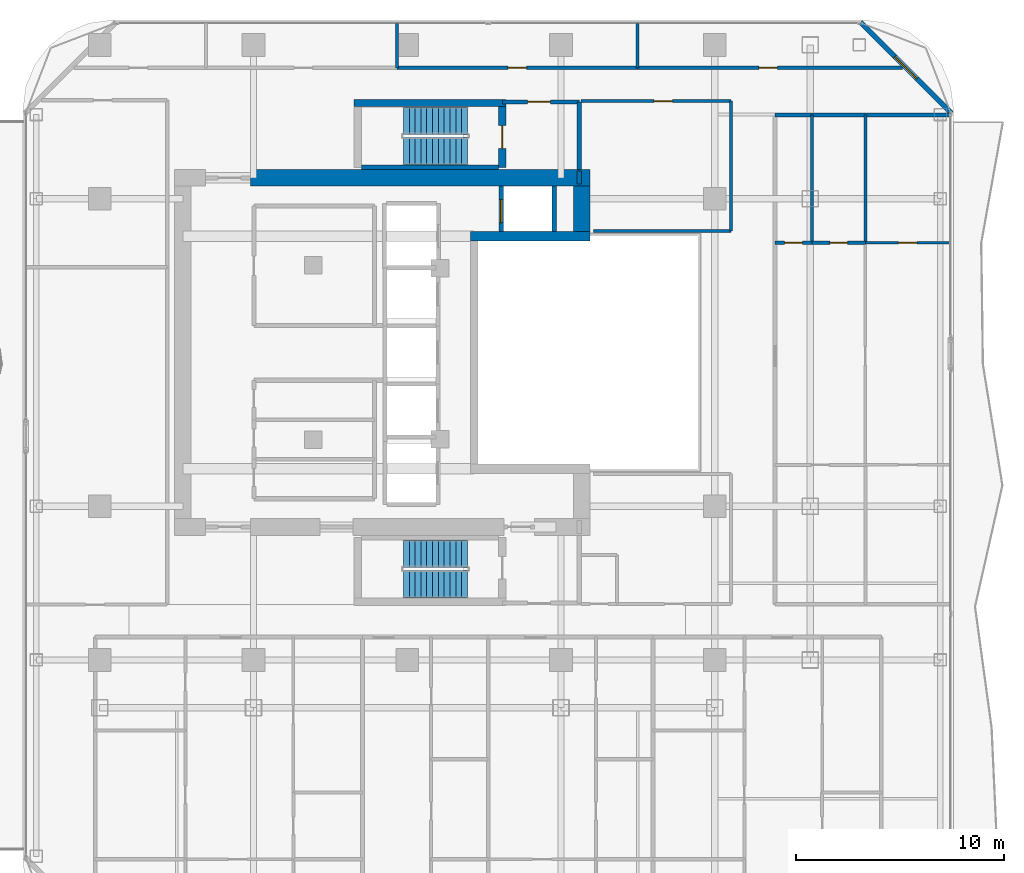
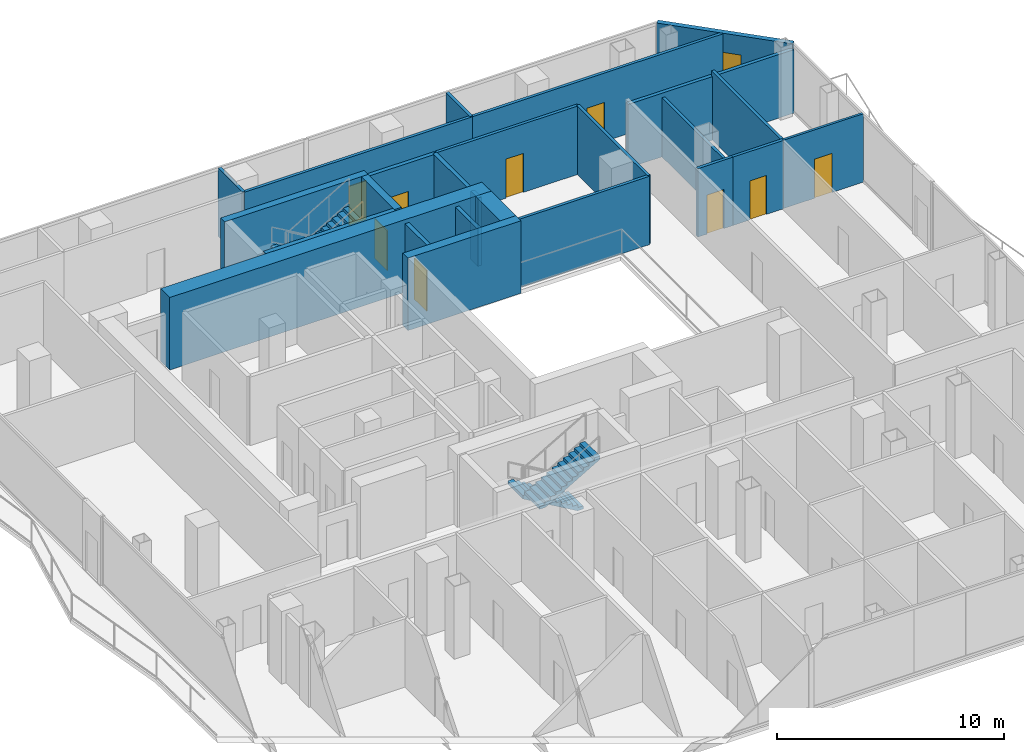
# One storey, part 23 of 26: 25 walls, 9 doors, 4 stair flights, 1 window, 10 openings, 2 elements without a shape of their own.
"""IFC4 building model written with IfcOpenShell, lengths in metres."""

from ifc_helpers import new_model, si_unit, direction, frame, frame_2d, origin, place, context, subcontext, project, spatial, polyline, rectangle, outline, extrude, material, layer, layer_set, type_object, element, fill, aggregate, save


model = new_model("IFC4")

# Units and contexts
model_context = context("Model", 3, precision=1e-05, world=origin(), true_north=direction((0.0, 1.0)))
body_context = subcontext(model_context, "Body", "Model", "MODEL_VIEW")
ifc_project = project(units=[si_unit("LENGTHUNIT", "METRE"), si_unit("AREAUNIT", "SQUARE_METRE"), si_unit("VOLUMEUNIT", "CUBIC_METRE"), si_unit("PLANEANGLEUNIT", "RADIAN"), si_unit("MASSUNIT", "GRAM", prefix="KILO")], contexts=[model_context])

# Site, building, storey
site_placement = place(None, origin())
site = spatial("IfcSite", under=ifc_project, at=site_placement, CompositionType="ELEMENT")
building_placement = place(site_placement, origin())
building = spatial("IfcBuilding", under=site, at=building_placement, Name="Khorvyn Point Tower", CompositionType="ELEMENT")
storey_placement = place(building_placement, frame((0.0, 0.0, 223.5)))
storey = spatial("IfcBuildingStorey", under=building, at=storey_placement, Name="L55", CompositionType="ELEMENT", Elevation=223.5)

# Wall
ifc_material_1 = material(Name="Double acoustic gypsum on twin steel stud", Category="steel")
ifc_layer_1 = layer(ifc_material_1, 0.179931640625)
ifc_layer_set_1 = layer_set([ifc_layer_1], Name="Acoustic Double-Stud Apartment Demising Wall 180")
wall_type_1 = type_object("IfcWallType", Name="Acoustic Double-Stud Apartment Demising Wall 180", PredefinedType="PARTITIONING", material=ifc_layer_set_1)
wall_1_placement = place(storey_placement, frame((17.699951171875, 11.429931640625, 0.0), z_axis=(0.0, 0.0, 1.0), x_axis=(1.0, 0.0, 0.0)))
element("IfcWall", 1, at=wall_1_placement, inside=storey, type_object=wall_type_1, Name="Wall", PredefinedType="PARTITIONING", context=body_context, shape_type="SweptSolid", body=[
    extrude(rectangle(XDim=8.429931640625, YDim=0.179931640625, at=frame_2d((4.21484375, 0.0))), origin(), (0.0, 0.0, 1.0), 3.419921875),
])

# Wall, opening, window
ifc_material_2 = material(Name="Pale anodised aluminium rainscreen on steel stud", Category="steel")
ifc_layer_2 = layer(ifc_material_2, 0.239990234375)
ifc_layer_set_2 = layer_set([ifc_layer_2], Name="Anodised Aluminium Insulated Corner Spandrel Wall 240")
wall_type_2 = type_object("IfcWallType", Name="Anodised Aluminium Insulated Corner Spandrel Wall 240", PredefinedType="SOLIDWALL", material=ifc_layer_set_2)
wall_2_placement = place(storey_placement, frame((21.8076171875, 15.892333984375, 0.0), z_axis=(0.0, 0.0, 1.0), x_axis=(0.707106781187, -0.707106781187, 0.0)))
wall_2 = element("IfcWall", 2, at=wall_2_placement, inside=storey, type_object=wall_type_2, Name="L55 Rounded Corner Wall NE", PredefinedType="SOLIDWALL", context=body_context, shape_type="SweptSolid", body=[
    extrude(rectangle(XDim=6.200927734375, YDim=0.239990234375, at=frame_2d((3.1005859375, 0.0))), origin(), (0.0, 0.0, 1.0), 3.679931640625),
])
opening_1_placement = place(wall_2_placement, frame((2.3505859375, 0.0, 0.800048828125)))
opening_1 = element("IfcOpeningElement", 3, at=opening_1_placement, cuts=wall_2, Name="Opening WN-1518", PredefinedType="OPENING", context=body_context, shape_type="SweptSolid", body=[
    extrude(rectangle(XDim=1.5, YDim=1.85009765625, at=frame_2d((0.75, 0.925048828125))), frame((0.0, 0.1298828125, 0.0), z_axis=(0.0, -1.0, 0.0), x_axis=(1.0, 0.0, 0.0)), (0.0, 0.0, 1.0), 0.260009765625),
])
ifc_material_3 = material(Name="Anodised aluminium 6063-T6 and laminated Low-E glass", Category="aluminium")
window_type = type_object("IfcWindowType", Name="Anodised Aluminium Rounded-Corner Panoramic Window 1500x1850", PartitioningType="SINGLE_PANEL", PredefinedType="WINDOW", material=ifc_material_3)
window_placement = place(opening_1_placement, origin())
window = element("IfcWindow", 4, at=window_placement, inside=storey, type_object=window_type, Name="L55 Corner Panoramic Window NE", OverallHeight=1.85009765625, OverallWidth=1.5, PartitioningType="SINGLE_PANEL", PredefinedType="WINDOW", context=body_context, shape_type="SweptSolid", body=[
    extrude(rectangle(XDim=1.5, YDim=1.85009765625, at=frame_2d((0.75, 0.925048828125))), frame((0.0, 0.030029296875, 0.0), z_axis=(0.0, -1.0, 0.0), x_axis=(1.0, 0.0, 0.0)), (0.0, 0.0, 1.0), 0.06005859375),
])
fill(opening_1, window)

# Wall
ifc_material_4 = material(Name="Concrete C40/50", Category="concrete")
ifc_layer_3 = layer(ifc_material_4, 0.449951171875)
ifc_layer_set_3 = layer_set([ifc_layer_3], Name="Concrete C40/50 Core Shear Wall 450")
wall_type_3 = type_object("IfcWallType", Name="Concrete C40/50 Core Shear Wall 450", PredefinedType="SHEAR", material=ifc_layer_set_3)
wall_3_placement = place(storey_placement, frame((3.044921875, 5.60009765625, 0.0), z_axis=(0.0, 0.0, 1.0), x_axis=(1.0, 0.0, 0.0)))
element("IfcWall", 5, at=wall_3_placement, inside=storey, type_object=wall_type_3, Name="Wall", PredefinedType="SHEAR", context=body_context, shape_type="SweptSolid", body=[
    extrude(rectangle(XDim=5.755126953125, YDim=0.449951171875, at=frame_2d((2.87744140625, 0.0))), origin(), (0.0, 0.0, 1.0), 3.89990234375),
])

# Wall, opening, door
ifc_layer_4 = layer(ifc_material_4, 0.199951171875)
ifc_layer_set_4 = layer_set([ifc_layer_4], Name="Concrete C40/50 Fire-Lobby Compartment Wall 200")
wall_type_4 = type_object("IfcWallType", Name="Concrete C40/50 Fire-Lobby Compartment Wall 200", PredefinedType="SOLIDWALL", material=ifc_layer_set_4)
wall_4_placement = place(storey_placement, frame((4.580078125, 12.06005859375, 0.0), z_axis=(0.0, 0.0, 1.0), x_axis=(1.0, 0.0, 0.0)))
wall_4 = element("IfcWall", 6, at=wall_4_placement, inside=storey, type_object=wall_type_4, Name="Wall", PredefinedType="SOLIDWALL", context=body_context, shape_type="SweptSolid", body=[
    extrude(rectangle(XDim=3.699951171875, YDim=0.199951171875, at=frame_2d((1.85009765625, 0.0))), origin(), (0.0, 0.0, 1.0), 3.679931640625),
])
opening_2_placement = place(wall_4_placement, frame((1.21240234375, 0.0, 0.0)))
opening_2 = element("IfcOpeningElement", 7, at=opening_2_placement, cuts=wall_4, Name="Opening ID-FL90", PredefinedType="OPENING", context=body_context, shape_type="SweptSolid", body=[
    extrude(rectangle(XDim=1.10009765625, YDim=2.14990234375, at=frame_2d((0.550048828125, 1.074951171875))), frame((0.0, 0.10986328125, 0.0), z_axis=(0.0, -1.0, 0.0), x_axis=(1.0, 0.0, 0.0)), (0.0, 0.0, 1.0), 0.219970703125),
])
ifc_material_5 = material(Name="Galvanised powder-coated steel", Category="steel")
door_type_1 = type_object("IfcDoorType", Name="Fire-Rated Steel Lobby and Stair Door 1100x2150", OperationType="NOTDEFINED", PredefinedType="DOOR", material=ifc_material_5)
door_1_placement = place(opening_2_placement, origin())
door_1 = element("IfcDoor", 8, at=door_1_placement, inside=storey, type_object=door_type_1, Name="Door", OperationType="SINGLE_SWING_LEFT", OverallHeight=2.14990234375, OverallWidth=1.10009765625, PredefinedType="DOOR", context=body_context, shape_type="SweptSolid", body=[
    extrude(rectangle(XDim=1.10009765625, YDim=2.14990234375, at=frame_2d((0.550048828125, 1.074951171875))), frame((0.0, 0.02490234375, 0.0), z_axis=(0.0, -1.0, 0.0), x_axis=(1.0, 0.0, 0.0)), (0.0, 0.0, 1.0), 0.050048828125),
])
fill(opening_2, door_1)

# Walls
wall_5_placement = place(storey_placement, frame((8.280029296875, 8.800048828125, 0.0), z_axis=(0.0, 0.0, 1.0), x_axis=(0.0, 1.0, 0.0)))
element("IfcWall", 9, at=wall_5_placement, inside=storey, type_object=wall_type_4, Name="Wall", PredefinedType="SOLIDWALL", context=body_context, shape_type="SweptSolid", body=[
    extrude(rectangle(XDim=3.260009765625, YDim=0.199951171875, at=frame_2d((1.6298828125, 0.0))), origin(), (0.0, 0.0, 1.0), 3.679931640625),
])
wall_6_placement = place(storey_placement, frame((8.280029296875, 8.10009765625, 0.0), z_axis=(0.0, 0.0, 1.0), x_axis=(0.0, 1.0, 0.0)))
element("IfcWall", 10, at=wall_6_placement, inside=storey, type_object=wall_type_4, Name="Wall", PredefinedType="SOLIDWALL", context=body_context, shape_type="SweptSolid", body=[
    extrude(rectangle(XDim=0.625, YDim=0.199951171875, at=frame_2d((0.3125, 0.0))), origin(), (0.0, 0.0, 1.0), 3.679931640625),
])
ifc_layer_5 = layer(ifc_material_4, 0.25)
ifc_layer_set_5 = layer_set([ifc_layer_5], Name="Concrete C40/50 Stair Inner Cheek Structural Wall 250")
wall_type_5 = type_object("IfcWallType", Name="Concrete C40/50 Stair Inner Cheek Structural Wall 250", PredefinedType="SHEAR", material=ifc_layer_set_5)
wall_7_placement = place(storey_placement, frame((-2.199951171875, 8.91259765625, 0.0), z_axis=(0.0, 0.0, 1.0), x_axis=(1.0, 0.0, 0.0)))
element("IfcWall", 11, at=wall_7_placement, inside=storey, type_object=wall_type_5, Name="Wall", PredefinedType="SHEAR", context=body_context, shape_type="SweptSolid", body=[
    extrude(rectangle(XDim=6.599853515625, YDim=0.22509765625, at=frame_2d((3.2998046875, 0.0))), origin(), (0.0, 0.0, 1.0), 3.89990234375),
])
ifc_layer_6 = layer(ifc_material_4, 0.35009765625)
ifc_layer_set_6 = layer_set([ifc_layer_6], Name="Concrete C40/50 Stair Shaft Structural Wall 350")
wall_type_6 = type_object("IfcWallType", Name="Concrete C40/50 Stair Shaft Structural Wall 350", PredefinedType="SHEAR", material=ifc_layer_set_6)
wall_8_placement = place(storey_placement, frame((-2.554931640625, 12.0, 0.0), z_axis=(0.0, 0.0, 1.0), x_axis=(1.0, 0.0, 0.0)))
element("IfcWall", 12, at=wall_8_placement, inside=storey, type_object=wall_type_6, Name="L55 ST-02 North Shaft Wall", PredefinedType="SHEAR", context=body_context, shape_type="SweptSolid", body=[
    extrude(rectangle(XDim=7.309814453125, YDim=0.35009765625, at=frame_2d((3.65478515625, 0.0))), origin(), (0.0, 0.0, 1.0), 3.89990234375),
])

# Wall, opening, door
wall_9_placement = place(storey_placement, frame((4.580078125, 11.824951171875, 0.0), z_axis=(0.0, 0.0, 1.0), x_axis=(0.0, -1.0, 0.0)))
wall_9 = element("IfcWall", 13, at=wall_9_placement, inside=storey, type_object=wall_type_6, Name="L55 ST-02 East Landing Door Wall", PredefinedType="SHEAR", context=body_context, shape_type="SweptSolid", body=[
    extrude(rectangle(XDim=2.925048828125, YDim=0.35009765625, at=frame_2d((1.46240234375, 0.0))), origin(), (0.0, 0.0, 1.0), 3.89990234375),
])
opening_3_placement = place(wall_9_placement, frame((0.91259765625, 0.0, 0.0)))
opening_3 = element("IfcOpeningElement", 14, at=opening_3_placement, cuts=wall_9, Name="Opening ID-FL90", PredefinedType="OPENING", context=body_context, shape_type="SweptSolid", body=[
    extrude(rectangle(XDim=1.10009765625, YDim=2.14990234375, at=frame_2d((0.550048828125, 1.074951171875))), frame((0.0, 0.18505859375, 0.0), z_axis=(0.0, -1.0, 0.0), x_axis=(1.0, 0.0, 0.0)), (0.0, 0.0, 1.0), 0.3701171875),
])
door_2_placement = place(opening_3_placement, origin())
door_2 = element("IfcDoor", 15, at=door_2_placement, inside=storey, type_object=door_type_1, Name="L55 ST-02 Smokeproof Landing Door", OperationType="SINGLE_SWING_RIGHT", OverallHeight=2.14990234375, OverallWidth=1.10009765625, PredefinedType="DOOR", context=body_context, shape_type="SweptSolid", body=[
    extrude(rectangle(XDim=1.10009765625, YDim=2.14990234375, at=frame_2d((0.550048828125, 1.074951171875))), frame((0.0, 0.02490234375, 0.0), z_axis=(0.0, -1.0, 0.0), x_axis=(1.0, 0.0, 0.0)), (0.0, 0.0, 1.0), 0.050048828125),
])
fill(opening_3, door_2)

ifc_layer_7 = layer(ifc_material_4, 0.199951171875)
ifc_layer_set_7 = layer_set([ifc_layer_7], Name="Concrete C40/50 Structural Hoistway and Stair Shaft Wall 200")
wall_type_7 = type_object("IfcWallType", Name="Concrete C40/50 Structural Hoistway and Stair Shaft Wall 200", PredefinedType="SHEAR", material=ifc_layer_set_7)
wall_10_placement = place(storey_placement, frame((4.52490234375, 5.824951171875, 0.0), z_axis=(0.0, 0.0, 1.0), x_axis=(0.0, 1.0, 0.0)))
wall_10 = element("IfcWall", 16, at=wall_10_placement, inside=storey, type_object=wall_type_7, Name="Wall", PredefinedType="SHEAR", context=body_context, shape_type="SweptSolid", body=[
    extrude(rectangle(XDim=2.175048828125, YDim=0.199951171875, at=frame_2d((1.08740234375, 0.0))), origin(), (0.0, 0.0, 1.0), 3.679931640625),
])
opening_4_placement = place(wall_10_placement, frame((0.425048828125, 0.0, 0.0)))
opening_4 = element("IfcOpeningElement", 17, at=opening_4_placement, cuts=wall_10, Name="Opening LD-1122", PredefinedType="OPENING", context=body_context, shape_type="SweptSolid", body=[
    extrude(rectangle(XDim=1.10009765625, YDim=2.199951171875, at=frame_2d((0.550048828125, 1.10009765625))), frame((0.0, 0.10986328125, 0.0), z_axis=(0.0, -1.0, 0.0), x_axis=(1.0, 0.0, 0.0)), (0.0, 0.0, 1.0), 0.219970703125),
])
ifc_material_6 = material(Name="Stainless steel 1.4301", Category="steel")
door_type_2 = type_object("IfcDoorType", Name="Stainless Steel Automatic Sliding Lift Landing Door 1100x2200", OperationType="SLIDING_TO_LEFT", PredefinedType="DOOR", material=ifc_material_6)
door_3_placement = place(opening_4_placement, origin())
door_3 = element("IfcDoor", 18, at=door_3_placement, inside=storey, type_object=door_type_2, Name="L55 FF-02 Sliding Lift Landing Door", OperationType="SLIDING_TO_LEFT", OverallHeight=2.199951171875, OverallWidth=1.10009765625, PredefinedType="DOOR", context=body_context, shape_type="SweptSolid", body=[
    extrude(rectangle(XDim=1.10009765625, YDim=2.199951171875, at=frame_2d((0.550048828125, 1.10009765625))), frame((0.0, 0.02490234375, 0.0), z_axis=(0.0, -1.0, 0.0), x_axis=(1.0, 0.0, 0.0)), (0.0, 0.0, 1.0), 0.050048828125),
])
fill(opening_4, door_3)

# Walls
wall_11_placement = place(storey_placement, frame((7.074951171875, 5.824951171875, 0.0), z_axis=(0.0, 0.0, 1.0), x_axis=(0.0, 1.0, 0.0)))
element("IfcWall", 19, at=wall_11_placement, inside=storey, type_object=wall_type_7, Name="Wall", PredefinedType="SHEAR", context=body_context, shape_type="SweptSolid", body=[
    extrude(rectangle(XDim=2.175048828125, YDim=0.199951171875, at=frame_2d((1.08740234375, 0.0))), origin(), (0.0, 0.0, 1.0), 3.679931640625),
])
ifc_material_7 = material(Name="Concrete C45/55", Category="concrete")
ifc_layer_8 = layer(ifc_material_7, 0.800048828125)
ifc_layer_set_8 = layer_set([ifc_layer_8], Name="Concrete C45/55 Core Shear Wall 800")
wall_type_8 = type_object("IfcWallType", Name="Concrete C45/55 Core Shear Wall 800", PredefinedType="SHEAR", material=ifc_layer_set_8)
wall_12_placement = place(storey_placement, frame((-7.550048828125, 8.39990234375, 0.0), z_axis=(0.0, 0.0, 1.0), x_axis=(1.0, 0.0, 0.0)))
element("IfcWall", 20, at=wall_12_placement, inside=storey, type_object=wall_type_8, Name="Wall", PredefinedType="SHEAR", context=body_context, shape_type="SweptSolid", body=[
    extrude(rectangle(XDim=16.35009765625, YDim=0.800048828125, at=frame_2d((8.175048828125, 0.0))), origin(), (0.0, 0.0, 1.0), 3.89990234375),
])
wall_13_placement = place(storey_placement, frame((8.39990234375, 5.824951171875, 0.0), z_axis=(0.0, 0.0, 1.0), x_axis=(0.0, 1.0, 0.0)))
element("IfcWall", 21, at=wall_13_placement, inside=storey, type_object=wall_type_8, Name="Wall", PredefinedType="SHEAR", context=body_context, shape_type="SweptSolid", body=[
    extrude(rectangle(XDim=2.175048828125, YDim=0.800048828125, at=frame_2d((1.08740234375, 0.0))), origin(), (0.0, 0.0, 1.0), 3.89990234375),
])

# Wall, opening, door
ifc_material_8 = material(Name="Gypsum plasterboard on steel stud", Category="steel")
ifc_layer_9 = layer(ifc_material_8, 0.1201171875)
ifc_layer_set_9 = layer_set([ifc_layer_9], Name="Gypsum Acoustic Stud Room Partition Wall 120")
wall_type_9 = type_object("IfcWallType", Name="Gypsum Acoustic Stud Room Partition Wall 120", PredefinedType="PARTITIONING", material=ifc_layer_set_9)
wall_14_placement = place(storey_placement, frame((22.054931640625, 5.281982421875, 0.0), z_axis=(0.0, 0.0, 1.0), x_axis=(1.0, 0.0, 0.0)))
wall_14 = element("IfcWall", 22, at=wall_14_placement, inside=storey, type_object=wall_type_9, Name="Wall", PredefinedType="PARTITIONING", context=body_context, shape_type="SweptSolid", body=[
    extrude(rectangle(XDim=4.074951171875, YDim=0.1201171875, at=frame_2d((2.03759765625, 0.0))), origin(), (0.0, 0.0, 1.0), 3.679931640625),
])
opening_5_placement = place(wall_14_placement, frame((1.58740234375, 0.0, 0.0)))
opening_5 = element("IfcOpeningElement", 23, at=opening_5_placement, cuts=wall_14, Name="Opening ID-RM90", PredefinedType="OPENING", context=body_context, shape_type="SweptSolid", body=[
    extrude(rectangle(XDim=0.89990234375, YDim=2.10009765625, at=frame_2d((0.449951171875, 1.050048828125))), frame((0.0, 0.070068359375, 0.0), z_axis=(0.0, -1.0, 0.0), x_axis=(1.0, 0.0, 0.0)), (0.0, 0.0, 1.0), 0.14013671875),
])
ifc_material_9 = material(Name="Engineered oak veneer timber", Category="wood")
door_type_3 = type_object("IfcDoorType", Name="Flush Engineered Timber Room Door 900x2100", OperationType="NOTDEFINED", PredefinedType="DOOR", material=ifc_material_9)
door_4_placement = place(opening_5_placement, origin())
door_4 = element("IfcDoor", 24, at=door_4_placement, inside=storey, type_object=door_type_3, Name="Door", OperationType="SINGLE_SWING_LEFT", OverallHeight=2.10009765625, OverallWidth=0.89990234375, PredefinedType="DOOR", context=body_context, shape_type="SweptSolid", body=[
    extrude(rectangle(XDim=0.89990234375, YDim=2.10009765625, at=frame_2d((0.449951171875, 1.050048828125))), frame((0.0, 0.02490234375, 0.0), z_axis=(0.0, -1.0, 0.0), x_axis=(1.0, 0.0, 0.0)), (0.0, 0.0, 1.0), 0.050048828125),
])
fill(opening_5, door_4)

ifc_material_10 = material(Name="Moisture-resistant gypsum and cement board", Category="gypsum")
ifc_layer_10 = layer(ifc_material_10, 0.14990234375)
ifc_layer_set_10 = layer_set([ifc_layer_10], Name="Moisture-Resistant Wet-Room Partition Wall 150")
wall_type_10 = type_object("IfcWallType", Name="Moisture-Resistant Wet-Room Partition Wall 150", PredefinedType="PARTITIONING", material=ifc_layer_set_10)
wall_15_placement = place(storey_placement, frame((8.360107421875, 12.10009765625, 0.0), z_axis=(0.0, 0.0, 1.0), x_axis=(1.0, 0.0, 0.0)))
wall_15 = element("IfcWall", 25, at=wall_15_placement, inside=storey, type_object=wall_type_10, Name="Wall", PredefinedType="PARTITIONING", context=body_context, shape_type="SweptSolid", body=[
    extrude(rectangle(XDim=7.219970703125, YDim=0.14990234375, at=frame_2d((3.60986328125, 0.0))), origin(), (0.0, 0.0, 1.0), 3.679931640625),
])
opening_6_placement = place(wall_15_placement, frame((3.512939453125, 0.0, 0.0)))
opening_6 = element("IfcOpeningElement", 26, at=opening_6_placement, cuts=wall_15, Name="Opening ID-RM90", PredefinedType="OPENING", context=body_context, shape_type="SweptSolid", body=[
    extrude(rectangle(XDim=0.89990234375, YDim=2.10009765625, at=frame_2d((0.449951171875, 1.050048828125))), frame((0.0, 0.0849609375, 0.0), z_axis=(0.0, -1.0, 0.0), x_axis=(1.0, 0.0, 0.0)), (0.0, 0.0, 1.0), 0.169921875),
])
door_5_placement = place(opening_6_placement, origin())
door_5 = element("IfcDoor", 27, at=door_5_placement, inside=storey, type_object=door_type_3, Name="Door", OperationType="SINGLE_SWING_RIGHT", OverallHeight=2.10009765625, OverallWidth=0.89990234375, PredefinedType="DOOR", context=body_context, shape_type="SweptSolid", body=[
    extrude(rectangle(XDim=0.89990234375, YDim=2.10009765625, at=frame_2d((0.449951171875, 1.050048828125))), frame((0.0, 0.02490234375, 0.0), z_axis=(0.0, -1.0, 0.0), x_axis=(1.0, 0.0, 0.0)), (0.0, 0.0, 1.0), 0.050048828125),
])
fill(opening_6, door_5)

wall_16_placement = place(storey_placement, frame((-0.493896484375, 13.699951171875, 0.0), z_axis=(0.0, 0.0, 1.0), x_axis=(1.0, 0.0, 0.0)))
wall_16 = element("IfcWall", 28, at=wall_16_placement, inside=storey, type_object=wall_type_10, Name="Wall", PredefinedType="PARTITIONING", context=body_context, shape_type="SweptSolid", body=[
    extrude(rectangle(XDim=11.5830078125, YDim=0.14990234375, at=frame_2d((5.79150390625, 0.0))), origin(), (0.0, 0.0, 1.0), 3.679931640625),
])
opening_7_placement = place(wall_16_placement, frame((5.341552734375, 0.0, 0.0)))
opening_7 = element("IfcOpeningElement", 29, at=opening_7_placement, cuts=wall_16, Name="Opening ID-RM90", PredefinedType="OPENING", context=body_context, shape_type="SweptSolid", body=[
    extrude(rectangle(XDim=0.89990234375, YDim=2.10009765625, at=frame_2d((0.449951171875, 1.050048828125))), frame((0.0, 0.0849609375, 0.0), z_axis=(0.0, -1.0, 0.0), x_axis=(1.0, 0.0, 0.0)), (0.0, 0.0, 1.0), 0.169921875),
])
door_6_placement = place(opening_7_placement, origin())
door_6 = element("IfcDoor", 30, at=door_6_placement, inside=storey, type_object=door_type_3, Name="Door", OperationType="SINGLE_SWING_LEFT", OverallHeight=2.10009765625, OverallWidth=0.89990234375, PredefinedType="DOOR", context=body_context, shape_type="SweptSolid", body=[
    extrude(rectangle(XDim=0.89990234375, YDim=2.10009765625, at=frame_2d((0.449951171875, 1.050048828125))), frame((0.0, 0.02490234375, 0.0), z_axis=(0.0, -1.0, 0.0), x_axis=(1.0, 0.0, 0.0)), (0.0, 0.0, 1.0), 0.050048828125),
])
fill(opening_7, door_6)

wall_17_placement = place(storey_placement, frame((11.089111328125, 13.699951171875, 0.0), z_axis=(0.0, 0.0, 1.0), x_axis=(1.0, 0.0, 0.0)))
wall_17 = element("IfcWall", 31, at=wall_17_placement, inside=storey, type_object=wall_type_10, Name="Wall", PredefinedType="PARTITIONING", context=body_context, shape_type="SweptSolid", body=[
    extrude(rectangle(XDim=12.740966796875, YDim=0.14990234375, at=frame_2d((6.37060546875, 0.0))), origin(), (0.0, 0.0, 1.0), 3.679931640625),
])
opening_8_placement = place(wall_17_placement, frame((5.831787109375, 0.0, 0.0)))
opening_8 = element("IfcOpeningElement", 32, at=opening_8_placement, cuts=wall_17, Name="Opening ID-RM90", PredefinedType="OPENING", context=body_context, shape_type="SweptSolid", body=[
    extrude(rectangle(XDim=0.89990234375, YDim=2.10009765625, at=frame_2d((0.449951171875, 1.050048828125))), frame((0.0, 0.0849609375, 0.0), z_axis=(0.0, -1.0, 0.0), x_axis=(1.0, 0.0, 0.0)), (0.0, 0.0, 1.0), 0.169921875),
])
door_7_placement = place(opening_8_placement, origin())
door_7 = element("IfcDoor", 33, at=door_7_placement, inside=storey, type_object=door_type_3, Name="Door", OperationType="SINGLE_SWING_RIGHT", OverallHeight=2.10009765625, OverallWidth=0.89990234375, PredefinedType="DOOR", context=body_context, shape_type="SweptSolid", body=[
    extrude(rectangle(XDim=0.89990234375, YDim=2.10009765625, at=frame_2d((0.449951171875, 1.050048828125))), frame((0.0, 0.02490234375, 0.0), z_axis=(0.0, -1.0, 0.0), x_axis=(1.0, 0.0, 0.0)), (0.0, 0.0, 1.0), 0.050048828125),
])
fill(opening_8, door_7)

wall_18_placement = place(storey_placement, frame((17.699951171875, 5.281982421875, 0.0), z_axis=(0.0, 0.0, 1.0), x_axis=(1.0, 0.0, 0.0)))
wall_18 = element("IfcWall", 34, at=wall_18_placement, inside=storey, type_object=wall_type_10, Name="Wall", PredefinedType="PARTITIONING", context=body_context, shape_type="SweptSolid", body=[
    extrude(rectangle(XDim=1.7861328125, YDim=0.14990234375, at=frame_2d((0.89306640625, 0.0))), origin(), (0.0, 0.0, 1.0), 3.679931640625),
])
opening_9_placement = place(wall_18_placement, frame((0.468017578125, 0.0, 0.0)))
opening_9 = element("IfcOpeningElement", 35, at=opening_9_placement, cuts=wall_18, Name="Opening ID-WC85", PredefinedType="OPENING", context=body_context, shape_type="SweptSolid", body=[
    extrude(rectangle(XDim=0.85009765625, YDim=2.10009765625, at=frame_2d((0.425048828125, 1.050048828125))), frame((0.0, 0.0849609375, 0.0), z_axis=(0.0, -1.0, 0.0), x_axis=(1.0, 0.0, 0.0)), (0.0, 0.0, 1.0), 0.169921875),
])
ifc_material_11 = material(Name="High-pressure laminate on moisture-resistant core", Category="wood")
door_type_4 = type_object("IfcDoorType", Name="Moisture-Resistant Accessible Washroom Door 850x2100", OperationType="NOTDEFINED", PredefinedType="DOOR", material=ifc_material_11)
door_8_placement = place(opening_9_placement, origin())
door_8 = element("IfcDoor", 36, at=door_8_placement, inside=storey, type_object=door_type_4, Name="Door", OperationType="SINGLE_SWING_LEFT", OverallHeight=2.10009765625, OverallWidth=0.85009765625, PredefinedType="DOOR", context=body_context, shape_type="SweptSolid", body=[
    extrude(rectangle(XDim=0.85009765625, YDim=2.10009765625, at=frame_2d((0.425048828125, 1.050048828125))), frame((0.0, 0.02490234375, 0.0), z_axis=(0.0, -1.0, 0.0), x_axis=(1.0, 0.0, 0.0)), (0.0, 0.0, 1.0), 0.050048828125),
])
fill(opening_9, door_8)

wall_19_placement = place(storey_placement, frame((19.486083984375, 5.281982421875, 0.0), z_axis=(0.0, 0.0, 1.0), x_axis=(1.0, 0.0, 0.0)))
wall_19 = element("IfcWall", 37, at=wall_19_placement, inside=storey, type_object=wall_type_10, Name="Wall", PredefinedType="PARTITIONING", context=body_context, shape_type="SweptSolid", body=[
    extrude(rectangle(XDim=2.56884765625, YDim=0.14990234375, at=frame_2d((1.284423828125, 0.0))), origin(), (0.0, 0.0, 1.0), 3.679931640625),
])
opening_10_placement = place(wall_19_placement, frame((0.859619140625, 0.0, 0.0)))
opening_10 = element("IfcOpeningElement", 38, at=opening_10_placement, cuts=wall_19, Name="Opening ID-WC85", PredefinedType="OPENING", context=body_context, shape_type="SweptSolid", body=[
    extrude(rectangle(XDim=0.85009765625, YDim=2.10009765625, at=frame_2d((0.425048828125, 1.050048828125))), frame((0.0, 0.0849609375, 0.0), z_axis=(0.0, -1.0, 0.0), x_axis=(1.0, 0.0, 0.0)), (0.0, 0.0, 1.0), 0.169921875),
])
door_9_placement = place(opening_10_placement, origin())
door_9 = element("IfcDoor", 39, at=door_9_placement, inside=storey, type_object=door_type_4, Name="Door", OperationType="SINGLE_SWING_RIGHT", OverallHeight=2.10009765625, OverallWidth=0.85009765625, PredefinedType="DOOR", context=body_context, shape_type="SweptSolid", body=[
    extrude(rectangle(XDim=0.85009765625, YDim=2.10009765625, at=frame_2d((0.425048828125, 1.050048828125))), frame((0.0, 0.02490234375, 0.0), z_axis=(0.0, -1.0, 0.0), x_axis=(1.0, 0.0, 0.0)), (0.0, 0.0, 1.0), 0.050048828125),
])
fill(opening_10, door_9)

# Walls
wall_20_placement = place(storey_placement, frame((15.580078125, 5.85009765625, 0.0), z_axis=(0.0, 0.0, 1.0), x_axis=(0.0, 1.0, 0.0)))
element("IfcWall", 40, at=wall_20_placement, inside=storey, type_object=wall_type_10, Name="Wall", PredefinedType="PARTITIONING", context=body_context, shape_type="SweptSolid", body=[
    extrude(rectangle(XDim=6.25, YDim=0.14990234375, at=frame_2d((3.125, 0.0))), origin(), (0.0, 0.0, 1.0), 3.679931640625),
])
wall_21_placement = place(storey_placement, frame((8.9599609375, 5.85009765625, 0.0), z_axis=(0.0, 0.0, 1.0), x_axis=(1.0, 0.0, 0.0)))
element("IfcWall", 41, at=wall_21_placement, inside=storey, type_object=wall_type_10, Name="Wall", PredefinedType="PARTITIONING", context=body_context, shape_type="SweptSolid", body=[
    extrude(rectangle(XDim=6.6201171875, YDim=0.14990234375, at=frame_2d((3.31005859375, 0.0))), origin(), (0.0, 0.0, 1.0), 3.679931640625),
])
for number, where, z_axis, x_axis, name in (
    (42, (-0.493896484375, 13.699951171875, 0.0), (0.0, 0.0, 1.0), (0.0, 1.0, 0.0), "Wall"),
    (43, (11.089111328125, 13.699951171875, 0.0), (0.0, 0.0, 1.0), (0.0, 1.0, 0.0), "Wall"),
):
    element("IfcWall", number, at=place(storey_placement, frame(where, z_axis=z_axis, x_axis=x_axis)), inside=storey, type_object=wall_type_10, Name=name, PredefinedType="PARTITIONING", context=body_context, shape_type="SweptSolid", body=[
        extrude(rectangle(XDim=2.130126953125, YDim=0.14990234375, at=frame_2d((1.06494140625, 0.0))), origin(), (0.0, 0.0, 1.0), 3.679931640625),
    ])
wall_22_placement = place(storey_placement, frame((19.486083984375, 5.281982421875, 0.0), z_axis=(0.0, 0.0, 1.0), x_axis=(0.0, 1.0, 0.0)))
element("IfcWall", 44, at=wall_22_placement, inside=storey, type_object=wall_type_10, Name="Wall", PredefinedType="PARTITIONING", context=body_context, shape_type="SweptSolid", body=[
    extrude(rectangle(XDim=6.14794921875, YDim=0.14990234375, at=frame_2d((3.073974609375, 0.0))), origin(), (0.0, 0.0, 1.0), 3.181884765625),
])
wall_23_placement = place(storey_placement, frame((22.054931640625, 5.281982421875, 0.0), z_axis=(0.0, 0.0, 1.0), x_axis=(0.0, 1.0, 0.0)))
element("IfcWall", 45, at=wall_23_placement, inside=storey, type_object=wall_type_10, Name="Wall", PredefinedType="PARTITIONING", context=body_context, shape_type="SweptSolid", body=[
    extrude(rectangle(XDim=6.14794921875, YDim=0.14990234375, at=frame_2d((3.073974609375, 0.0))), origin(), (0.0, 0.0, 1.0), 3.679931640625),
])

# Stair, stair flights
stair_type = type_object("IfcStairType", Name="Tower Concrete C40/50 Dogleg Exit Stair", PredefinedType="HALF_TURN_STAIR", material=ifc_material_4)
stair_1_placement = place(storey_placement, origin())
stair_1 = element("IfcStair", 46, at=stair_1_placement, inside=storey, type_object=stair_type, Name="L55 Tower Smokeproof Exit Stair South", PredefinedType="HALF_TURN_STAIR")
stair_flight_type = type_object("IfcStairFlightType", Name="Tower Concrete C40/50 Stair Flight", PredefinedType="STRAIGHT", material=ifc_material_4)
stair_flight_1_placement = place(storey_placement, frame((2.89990234375, -9.679931640625, 0.0), z_axis=(0.0, 0.0, 1.0), x_axis=(-1.0, 0.0, 0.0)))
stair_flight_1 = element("IfcStairFlight", 47, at=stair_flight_1_placement, type_object=stair_flight_type, Name="ST-01 flight 1", NumberOfRisers=12, NumberOfTreads=11, PredefinedType="STRAIGHT", RiserHeight=0.1625, TreadLength=0.28, context=body_context, shape_type="SweptSolid", body=[
    extrude(outline(polyline([(0.0, 0.0), (0.0, 0.16259765625), (0.280029296875, 0.16259765625), (0.280029296875, 0.324951171875), (0.56005859375, 0.324951171875), (0.56005859375, 0.487548828125), (0.840087890625, 0.487548828125), (0.840087890625, 0.64990234375), (1.1201171875, 0.64990234375), (1.1201171875, 0.8125), (1.39990234375, 0.8125), (1.39990234375, 0.97509765625), (1.679931640625, 0.97509765625), (1.679931640625, 1.137451171875), (1.9599609375, 1.137451171875), (1.9599609375, 1.300048828125), (2.239990234375, 1.300048828125), (2.239990234375, 1.46240234375), (2.52001953125, 1.46240234375), (2.52001953125, 1.625), (2.800048828125, 1.625), (2.800048828125, 1.78759765625), (3.080078125, 1.78759765625), (3.080078125, 1.949951171875), (3.080078125, 1.6142578125), (0.298583984375, 0.0), (0.0, 0.0)])), frame((0.0, 0.66015625, 0.0), z_axis=(0.0, -1.0, 0.0), x_axis=(1.0, 0.0, 0.0)), (0.0, 0.0, 1.0), 1.320068359375),
])
stair_flight_2_placement = place(storey_placement, frame((-0.179931640625, -11.159912109375, 1.949951171875), z_axis=(0.0, 0.0, 1.0), x_axis=(1.0, 0.0, 0.0)))
stair_flight_2 = element("IfcStairFlight", 48, at=stair_flight_2_placement, type_object=stair_flight_type, Name="ST-01 flight 2", NumberOfRisers=12, NumberOfTreads=11, PredefinedType="STRAIGHT", RiserHeight=0.1625, TreadLength=0.28, context=body_context, shape_type="SweptSolid", body=[
    extrude(outline(polyline([(0.0, 0.0), (0.0, 0.16259765625), (0.280029296875, 0.16259765625), (0.280029296875, 0.324951171875), (0.56005859375, 0.324951171875), (0.56005859375, 0.487548828125), (0.840087890625, 0.487548828125), (0.840087890625, 0.64990234375), (1.1201171875, 0.64990234375), (1.1201171875, 0.8125), (1.39990234375, 0.8125), (1.39990234375, 0.97509765625), (1.679931640625, 0.97509765625), (1.679931640625, 1.137451171875), (1.9599609375, 1.137451171875), (1.9599609375, 1.300048828125), (2.239990234375, 1.300048828125), (2.239990234375, 1.46240234375), (2.52001953125, 1.46240234375), (2.52001953125, 1.625), (2.800048828125, 1.625), (2.800048828125, 1.78759765625), (3.080078125, 1.78759765625), (3.080078125, 1.949951171875), (3.080078125, 1.6142578125), (0.298583984375, 0.0), (0.0, 0.0)])), frame((0.0, 0.66015625, 0.0), z_axis=(0.0, -1.0, 0.0), x_axis=(1.0, 0.0, 0.0)), (0.0, 0.0, 1.0), 1.320068359375),
])
aggregate(stair_1, [stair_flight_1, stair_flight_2])

stair_2_placement = place(storey_placement, origin())
stair_2 = element("IfcStair", 49, at=stair_2_placement, inside=storey, type_object=stair_type, Name="L55 Tower Smokeproof Exit Stair North", PredefinedType="HALF_TURN_STAIR")
stair_flight_3_placement = place(storey_placement, frame((2.89990234375, 11.159912109375, 0.0), z_axis=(0.0, 0.0, 1.0), x_axis=(-1.0, 0.0, 0.0)))
stair_flight_3 = element("IfcStairFlight", 50, at=stair_flight_3_placement, type_object=stair_flight_type, Name="ST-02 flight 1", NumberOfRisers=12, NumberOfTreads=11, PredefinedType="STRAIGHT", RiserHeight=0.1625, TreadLength=0.28, context=body_context, shape_type="SweptSolid", body=[
    extrude(outline(polyline([(0.0, 0.0), (0.0, 0.16259765625), (0.280029296875, 0.16259765625), (0.280029296875, 0.324951171875), (0.56005859375, 0.324951171875), (0.56005859375, 0.487548828125), (0.840087890625, 0.487548828125), (0.840087890625, 0.64990234375), (1.1201171875, 0.64990234375), (1.1201171875, 0.8125), (1.39990234375, 0.8125), (1.39990234375, 0.97509765625), (1.679931640625, 0.97509765625), (1.679931640625, 1.137451171875), (1.9599609375, 1.137451171875), (1.9599609375, 1.300048828125), (2.239990234375, 1.300048828125), (2.239990234375, 1.46240234375), (2.52001953125, 1.46240234375), (2.52001953125, 1.625), (2.800048828125, 1.625), (2.800048828125, 1.78759765625), (3.080078125, 1.78759765625), (3.080078125, 1.949951171875), (3.080078125, 1.6142578125), (0.298583984375, 0.0), (0.0, 0.0)])), frame((0.0, 0.66015625, 0.0), z_axis=(0.0, -1.0, 0.0), x_axis=(1.0, 0.0, 0.0)), (0.0, 0.0, 1.0), 1.320068359375),
])
stair_flight_4_placement = place(storey_placement, frame((-0.179931640625, 9.679931640625, 1.949951171875), z_axis=(0.0, 0.0, 1.0), x_axis=(1.0, 0.0, 0.0)))
stair_flight_4 = element("IfcStairFlight", 51, at=stair_flight_4_placement, type_object=stair_flight_type, Name="ST-02 flight 2", NumberOfRisers=12, NumberOfTreads=11, PredefinedType="STRAIGHT", RiserHeight=0.1625, TreadLength=0.28, context=body_context, shape_type="SweptSolid", body=[
    extrude(outline(polyline([(0.0, 0.0), (0.0, 0.16259765625), (0.280029296875, 0.16259765625), (0.280029296875, 0.324951171875), (0.56005859375, 0.324951171875), (0.56005859375, 0.487548828125), (0.840087890625, 0.487548828125), (0.840087890625, 0.64990234375), (1.1201171875, 0.64990234375), (1.1201171875, 0.8125), (1.39990234375, 0.8125), (1.39990234375, 0.97509765625), (1.679931640625, 0.97509765625), (1.679931640625, 1.137451171875), (1.9599609375, 1.137451171875), (1.9599609375, 1.300048828125), (2.239990234375, 1.300048828125), (2.239990234375, 1.46240234375), (2.52001953125, 1.46240234375), (2.52001953125, 1.625), (2.800048828125, 1.625), (2.800048828125, 1.78759765625), (3.080078125, 1.78759765625), (3.080078125, 1.949951171875), (3.080078125, 1.6142578125), (0.298583984375, 0.0), (0.0, 0.0)])), frame((0.0, 0.66015625, 0.0), z_axis=(0.0, -1.0, 0.0), x_axis=(1.0, 0.0, 0.0)), (0.0, 0.0, 1.0), 1.320068359375),
])
aggregate(stair_2, [stair_flight_3, stair_flight_4])

save(model, "model.ifc")
